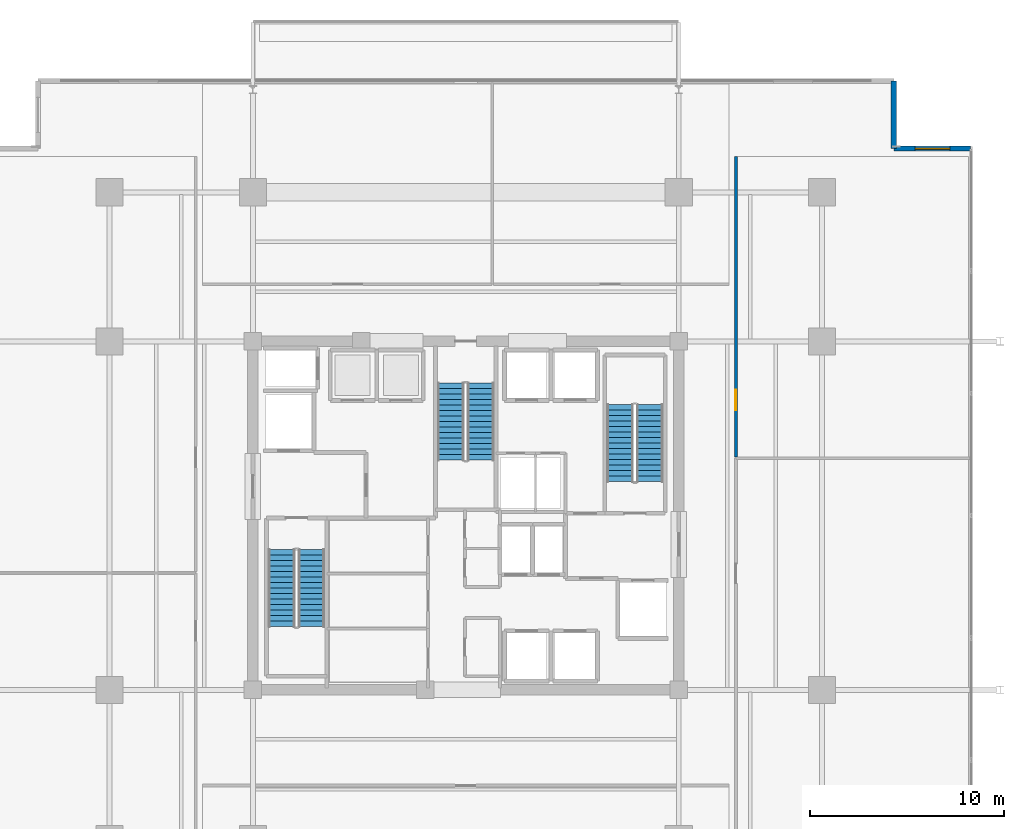
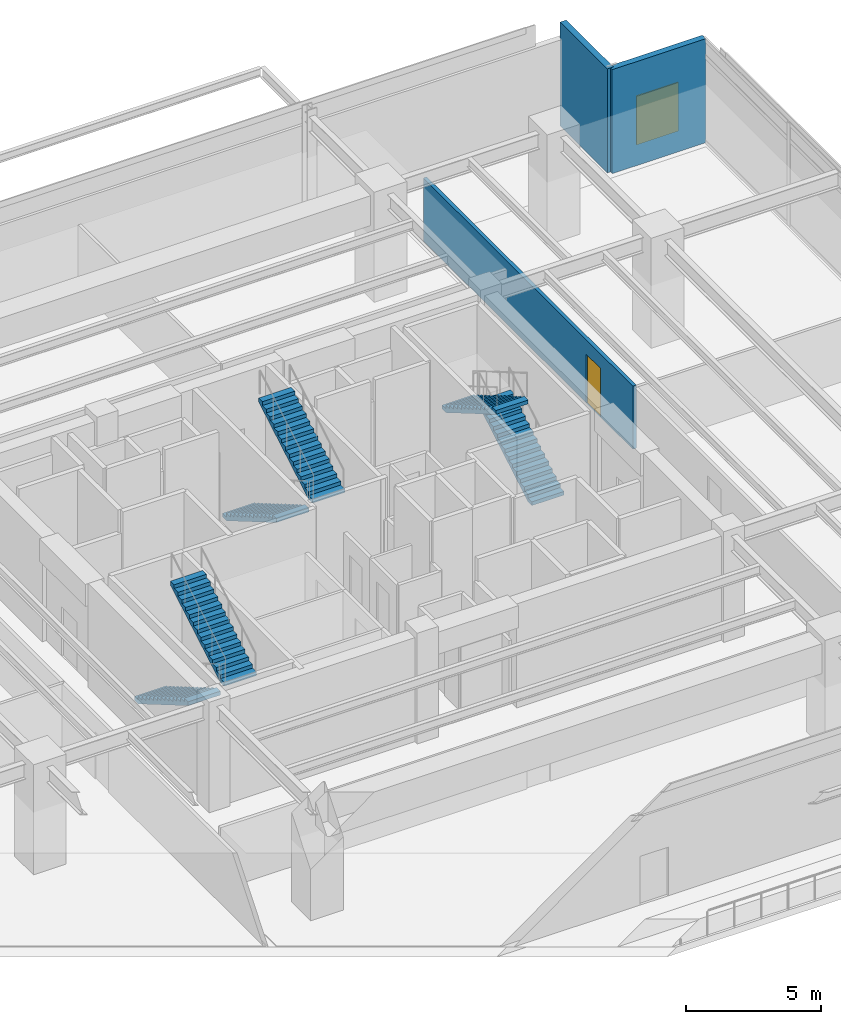
# One storey, part 19 of 25: 6 stair flights, 3 walls, 1 door, 1 window, 2 openings, 3 elements without a shape of their own.
"""IFC4 building model written with IfcOpenShell, lengths in metres."""

from ifc_helpers import new_model, si_unit, direction, frame, frame_2d, origin, place, context, subcontext, project, spatial, polyline, rectangle, outline, extrude, material, layer, layer_set, type_object, element, fill, aggregate, save


model = new_model("IFC4")

# Units and contexts
model_context = context("Model", 3, precision=1e-05, world=origin(), true_north=direction((0.0, 1.0)))
body_context = subcontext(model_context, "Body", "Model", "MODEL_VIEW")
ifc_project = project(units=[si_unit("LENGTHUNIT", "METRE"), si_unit("AREAUNIT", "SQUARE_METRE"), si_unit("VOLUMEUNIT", "CUBIC_METRE"), si_unit("PLANEANGLEUNIT", "RADIAN"), si_unit("MASSUNIT", "GRAM", prefix="KILO")], contexts=[model_context])

# Site, building, storey
site_placement = place(None, origin())
site = spatial("IfcSite", under=ifc_project, at=site_placement, CompositionType="ELEMENT")
building_placement = place(site_placement, origin())
building = spatial("IfcBuilding", under=site, at=building_placement, Name="Kovane Verandah Tower", CompositionType="ELEMENT")
storey_placement = place(building_placement, frame((0.0, 0.0, 233.199951171875)))
storey = spatial("IfcBuildingStorey", under=building, at=storey_placement, Name="L54", CompositionType="ELEMENT", Elevation=233.199951171875)

# Wall, opening, door
ifc_material_1 = material(Name="Fire-Rated Gypsum Stud Partition", Category="gypsum")
ifc_layer_1 = layer(ifc_material_1, 0.14990234375)
ifc_layer_set_1 = layer_set([ifc_layer_1], Name="Fire-Rated Gypsum Stud Partition")
wall_type_1 = type_object("IfcWallType", Name="WL-COR-150", PredefinedType="PARTITIONING", material=ifc_layer_set_1)
wall_1_placement = place(storey_placement, frame((53.949951171875, 30.537841796875, 0.0), z_axis=(0.0, 0.0, 1.0), x_axis=(0.0, 1.0, 0.0)))
wall_1 = element("IfcWall", 1, at=wall_1_placement, inside=storey, type_object=wall_type_1, Name="L54 Executive Office E2 Corridor Partition", PredefinedType="PARTITIONING", context=body_context, shape_type="SweptSolid", body=[
    extrude(rectangle(XDim=15.51171875, YDim=0.14990234375, at=frame_2d((7.755859375, 0.0))), origin(), (0.0, 0.0, 1.0), 2.85009765625),
])
opening_1_placement = place(wall_1_placement, frame((2.406005859375, 0.0, 0.0)))
opening_1 = element("IfcOpeningElement", 2, at=opening_1_placement, cuts=wall_1, Name="Opening DR-L54-012", PredefinedType="OPENING", context=body_context, shape_type="SweptSolid", body=[
    extrude(rectangle(XDim=1.050048828125, YDim=2.199951171875, at=frame_2d((0.52490234375, 1.10009765625))), frame((0.0, 0.074951171875, 0.0), z_axis=(0.0, -1.0, 0.0), x_axis=(1.0, 0.0, 0.0)), (0.0, 0.0, 1.0), 0.14990234375),
])
ifc_material_2 = material(Name="FSC Blackbutt Timber Fire-Rated Executive Door", Category="wood")
door_type = type_object("IfcDoorType", Name="DR-EXEC-1050", OperationType="SINGLE_SWING_LEFT", PredefinedType="DOOR", material=ifc_material_2)
door_placement = place(opening_1_placement, origin())
door = element("IfcDoor", 3, at=door_placement, inside=storey, type_object=door_type, Name="L54 Executive Office E2 Entrance Door", OperationType="SINGLE_SWING_RIGHT", OverallHeight=2.199951171875, OverallWidth=1.050048828125, PredefinedType="DOOR", context=body_context, shape_type="SweptSolid", body=[
    extrude(rectangle(XDim=1.050048828125, YDim=2.199951171875, at=frame_2d((0.52490234375, 1.10009765625))), frame((0.0, 0.02490234375, 0.0), z_axis=(0.0, -1.0, 0.0), x_axis=(1.0, 0.0, 0.0)), (0.0, 0.0, 1.0), 0.050048828125),
])
fill(opening_1, door)

# Wall, opening, window
ifc_material_3 = material(Name="Concrete C45/55 Insulated Spandrel Wall", Category="concrete")
ifc_layer_2 = layer(ifc_material_3, 0.260009765625)
ifc_layer_set_2 = layer_set([ifc_layer_2], Name="Concrete C45/55 Insulated Spandrel Wall")
wall_type_2 = type_object("IfcWallType", Name="WL-SPANDREL-260", PredefinedType="PARAPET", material=ifc_layer_set_2)
wall_2_placement = place(storey_placement, frame((66.107177734375, 46.44970703125, 0.0), z_axis=(0.0, 0.0, 1.0), x_axis=(-1.0, 0.0, 0.0)))
wall_2 = element("IfcWall", 4, at=wall_2_placement, inside=storey, type_object=wall_type_2, Name="L54 NE Notch Cheek Wall 1", PredefinedType="PARAPET", context=body_context, shape_type="SweptSolid", body=[
    extrude(rectangle(XDim=4.0, YDim=0.260009765625, at=frame_2d((2.0, 0.0))), origin(), (0.0, 0.0, 1.0), 4.699951171875),
])
opening_2_placement = place(wall_2_placement, frame((1.10009765625, 0.0, 0.85009765625)))
opening_2 = element("IfcOpeningElement", 5, at=opening_2_placement, cuts=wall_2, Name="Opening W-03", PredefinedType="OPENING", context=body_context, shape_type="SweptSolid", body=[
    extrude(rectangle(XDim=1.800048828125, YDim=2.199951171875, at=frame_2d((0.89990234375, 1.10009765625))), frame((0.0, 0.1298828125, 0.0), z_axis=(0.0, -1.0, 0.0), x_axis=(1.0, 0.0, 0.0)), (0.0, 0.0, 1.0), 0.260009765625),
])
ifc_material_4 = material(Name="Clear Low-E Laminated Double Glazing in Anodised Frame", Category="glass")
window_type = type_object("IfcWindowType", Name="WN-NOTCH-1800x2200", PartitioningType="SINGLE_PANEL", PredefinedType="WINDOW", material=ifc_material_4)
window_placement = place(opening_2_placement, origin())
window = element("IfcWindow", 6, at=window_placement, inside=storey, type_object=window_type, Name="L54 NE Re-Entrant Corner Operable Window", OverallHeight=2.199951171875, OverallWidth=1.800048828125, PartitioningType="SINGLE_PANEL", PredefinedType="WINDOW", context=body_context, shape_type="SweptSolid", body=[
    extrude(rectangle(XDim=1.800048828125, YDim=2.199951171875, at=frame_2d((0.89990234375, 1.10009765625))), frame((0.0, 0.030029296875, 0.0), z_axis=(0.0, -1.0, 0.0), x_axis=(1.0, 0.0, 0.0)), (0.0, 0.0, 1.0), 0.06005859375),
])
fill(opening_2, window)

# Wall
wall_3_placement = place(storey_placement, frame((62.107177734375, 46.44970703125, 0.0), z_axis=(0.0, 0.0, 1.0), x_axis=(0.0, 1.0, 0.0)))
element("IfcWall", 7, at=wall_3_placement, inside=storey, type_object=wall_type_2, Name="L54 NE Notch Cheek Wall 2", PredefinedType="PARAPET", context=body_context, shape_type="SweptSolid", body=[
    extrude(rectangle(XDim=3.5, YDim=0.260009765625, at=frame_2d((1.75, 0.0))), origin(), (0.0, 0.0, 1.0), 4.699951171875),
])

# Stair, stair flights
ifc_material_5 = material(Name="Concrete C45/55", Category="concrete")
stair_type = type_object("IfcStairType", Name="ST-CORE-1380", PredefinedType="HALF_TURN_STAIR", material=ifc_material_5)
stair_1_placement = place(storey_placement, origin())
stair_1 = element("IfcStair", 8, at=stair_1_placement, inside=storey, type_object=stair_type, Name="L54 Exit Stair ST-01", PredefinedType="HALF_TURN_STAIR")
stair_flight_type = type_object("IfcStairFlightType", Name="STF-CORE-1380", PredefinedType="STRAIGHT", material=ifc_material_5)
stair_flight_1_placement = place(storey_placement, frame((30.489990234375, 25.75, 0.0), z_axis=(0.0, 0.0, 1.0), x_axis=(0.0, -1.0, 0.0)))
stair_flight_1 = element("IfcStairFlight", 9, at=stair_flight_1_placement, type_object=stair_flight_type, Name="ST-01 flight 1", NumberOfRisers=15, NumberOfTreads=14, PredefinedType="STRAIGHT", RiserHeight=0.166666667, TreadLength=0.285, context=body_context, shape_type="SweptSolid", body=[
    extrude(outline(polyline([(0.0, 0.0), (0.0, 0.166748046875), (0.284912109375, 0.166748046875), (0.284912109375, 0.333251953125), (0.570068359375, 0.333251953125), (0.570068359375, 0.5), (0.85498046875, 0.5), (0.85498046875, 0.666748046875), (1.139892578125, 0.666748046875), (1.139892578125, 0.833251953125), (1.425048828125, 0.833251953125), (1.425048828125, 1.0), (1.7099609375, 1.0), (1.7099609375, 1.166748046875), (1.9951171875, 1.166748046875), (1.9951171875, 1.333251953125), (2.280029296875, 1.333251953125), (2.280029296875, 1.5), (2.56494140625, 1.5), (2.56494140625, 1.666748046875), (2.85009765625, 1.666748046875), (2.85009765625, 1.833251953125), (3.135009765625, 1.833251953125), (3.135009765625, 2.0), (3.419921875, 2.0), (3.419921875, 2.166748046875), (3.705078125, 2.166748046875), (3.705078125, 2.333251953125), (3.989990234375, 2.333251953125), (3.989990234375, 2.5), (3.989990234375, 2.15966796875), (0.296875, 0.0), (0.0, 0.0)])), frame((0.0, 0.68994140625, 0.0), z_axis=(0.0, -1.0, 0.0), x_axis=(1.0, 0.0, 0.0)), (0.0, 0.0, 1.0), 1.3798828125),
])
stair_flight_2_placement = place(storey_placement, frame((32.030029296875, 21.760009765625, 2.5), z_axis=(0.0, 0.0, 1.0), x_axis=(0.0, 1.0, 0.0)))
stair_flight_2 = element("IfcStairFlight", 10, at=stair_flight_2_placement, type_object=stair_flight_type, Name="ST-01 flight 2", NumberOfRisers=15, NumberOfTreads=14, PredefinedType="STRAIGHT", RiserHeight=0.166666667, TreadLength=0.285, context=body_context, shape_type="SweptSolid", body=[
    extrude(outline(polyline([(0.0, 0.0), (0.0, 0.166748046875), (0.284912109375, 0.166748046875), (0.284912109375, 0.333251953125), (0.570068359375, 0.333251953125), (0.570068359375, 0.5), (0.85498046875, 0.5), (0.85498046875, 0.666748046875), (1.139892578125, 0.666748046875), (1.139892578125, 0.833251953125), (1.425048828125, 0.833251953125), (1.425048828125, 1.0), (1.7099609375, 1.0), (1.7099609375, 1.166748046875), (1.9951171875, 1.166748046875), (1.9951171875, 1.333251953125), (2.280029296875, 1.333251953125), (2.280029296875, 1.5), (2.56494140625, 1.5), (2.56494140625, 1.666748046875), (2.85009765625, 1.666748046875), (2.85009765625, 1.833251953125), (3.135009765625, 1.833251953125), (3.135009765625, 2.0), (3.419921875, 2.0), (3.419921875, 2.166748046875), (3.705078125, 2.166748046875), (3.705078125, 2.333251953125), (3.989990234375, 2.333251953125), (3.989990234375, 2.5), (3.989990234375, 2.15966796875), (0.296875, 0.0), (0.0, 0.0)])), frame((0.0, 0.68994140625, 0.0), z_axis=(0.0, -1.0, 0.0), x_axis=(1.0, 0.0, 0.0)), (0.0, 0.0, 1.0), 1.3798828125),
])
aggregate(stair_1, [stair_flight_1, stair_flight_2])

stair_2_placement = place(storey_placement, origin())
stair_2 = element("IfcStair", 11, at=stair_2_placement, inside=storey, type_object=stair_type, Name="L54 Exit Stair ST-02", PredefinedType="HALF_TURN_STAIR")
stair_flight_3_placement = place(storey_placement, frame((49.510009765625, 29.25, 0.0), z_axis=(0.0, 0.0, 1.0), x_axis=(0.0, 1.0, 0.0)))
stair_flight_3 = element("IfcStairFlight", 12, at=stair_flight_3_placement, type_object=stair_flight_type, Name="ST-02 flight 1", NumberOfRisers=15, NumberOfTreads=14, PredefinedType="STRAIGHT", RiserHeight=0.166666667, TreadLength=0.285, context=body_context, shape_type="SweptSolid", body=[
    extrude(outline(polyline([(0.0, 0.0), (0.0, 0.166748046875), (0.284912109375, 0.166748046875), (0.284912109375, 0.333251953125), (0.570068359375, 0.333251953125), (0.570068359375, 0.5), (0.85498046875, 0.5), (0.85498046875, 0.666748046875), (1.139892578125, 0.666748046875), (1.139892578125, 0.833251953125), (1.425048828125, 0.833251953125), (1.425048828125, 1.0), (1.7099609375, 1.0), (1.7099609375, 1.166748046875), (1.9951171875, 1.166748046875), (1.9951171875, 1.333251953125), (2.280029296875, 1.333251953125), (2.280029296875, 1.5), (2.56494140625, 1.5), (2.56494140625, 1.666748046875), (2.85009765625, 1.666748046875), (2.85009765625, 1.833251953125), (3.135009765625, 1.833251953125), (3.135009765625, 2.0), (3.419921875, 2.0), (3.419921875, 2.166748046875), (3.705078125, 2.166748046875), (3.705078125, 2.333251953125), (3.989990234375, 2.333251953125), (3.989990234375, 2.5), (3.989990234375, 2.15966796875), (0.296875, 0.0), (0.0, 0.0)])), frame((0.0, 0.68994140625, 0.0), z_axis=(0.0, -1.0, 0.0), x_axis=(1.0, 0.0, 0.0)), (0.0, 0.0, 1.0), 1.3798828125),
])
stair_flight_4_placement = place(storey_placement, frame((47.969970703125, 33.239990234375, 2.5), z_axis=(0.0, 0.0, 1.0), x_axis=(0.0, -1.0, 0.0)))
stair_flight_4 = element("IfcStairFlight", 13, at=stair_flight_4_placement, type_object=stair_flight_type, Name="ST-02 flight 2", NumberOfRisers=15, NumberOfTreads=14, PredefinedType="STRAIGHT", RiserHeight=0.166666667, TreadLength=0.285, context=body_context, shape_type="SweptSolid", body=[
    extrude(outline(polyline([(0.0, 0.0), (0.0, 0.166748046875), (0.284912109375, 0.166748046875), (0.284912109375, 0.333251953125), (0.570068359375, 0.333251953125), (0.570068359375, 0.5), (0.85498046875, 0.5), (0.85498046875, 0.666748046875), (1.139892578125, 0.666748046875), (1.139892578125, 0.833251953125), (1.425048828125, 0.833251953125), (1.425048828125, 1.0), (1.7099609375, 1.0), (1.7099609375, 1.166748046875), (1.9951171875, 1.166748046875), (1.9951171875, 1.333251953125), (2.280029296875, 1.333251953125), (2.280029296875, 1.5), (2.56494140625, 1.5), (2.56494140625, 1.666748046875), (2.85009765625, 1.666748046875), (2.85009765625, 1.833251953125), (3.135009765625, 1.833251953125), (3.135009765625, 2.0), (3.419921875, 2.0), (3.419921875, 2.166748046875), (3.705078125, 2.166748046875), (3.705078125, 2.333251953125), (3.989990234375, 2.333251953125), (3.989990234375, 2.5), (3.989990234375, 2.15966796875), (0.296875, 0.0), (0.0, 0.0)])), frame((0.0, 0.68994140625, 0.0), z_axis=(0.0, -1.0, 0.0), x_axis=(1.0, 0.0, 0.0)), (0.0, 0.0, 1.0), 1.3798828125),
])
aggregate(stair_2, [stair_flight_3, stair_flight_4])

stair_3_placement = place(storey_placement, origin())
stair_3 = element("IfcStair", 14, at=stair_3_placement, inside=storey, type_object=stair_type, Name="L54 Exit Stair ST-03", PredefinedType="HALF_TURN_STAIR")
stair_flight_5_placement = place(storey_placement, frame((39.22998046875, 34.35009765625, 0.0), z_axis=(0.0, 0.0, 1.0), x_axis=(0.0, -1.0, 0.0)))
stair_flight_5 = element("IfcStairFlight", 15, at=stair_flight_5_placement, type_object=stair_flight_type, Name="ST-03 flight 1", NumberOfRisers=15, NumberOfTreads=14, PredefinedType="STRAIGHT", RiserHeight=0.166666667, TreadLength=0.285, context=body_context, shape_type="SweptSolid", body=[
    extrude(outline(polyline([(0.0, 0.0), (0.0, 0.166748046875), (0.284912109375, 0.166748046875), (0.284912109375, 0.333251953125), (0.570068359375, 0.333251953125), (0.570068359375, 0.5), (0.85498046875, 0.5), (0.85498046875, 0.666748046875), (1.139892578125, 0.666748046875), (1.139892578125, 0.833251953125), (1.425048828125, 0.833251953125), (1.425048828125, 1.0), (1.7099609375, 1.0), (1.7099609375, 1.166748046875), (1.9951171875, 1.166748046875), (1.9951171875, 1.333251953125), (2.280029296875, 1.333251953125), (2.280029296875, 1.5), (2.56494140625, 1.5), (2.56494140625, 1.666748046875), (2.85009765625, 1.666748046875), (2.85009765625, 1.833251953125), (3.135009765625, 1.833251953125), (3.135009765625, 2.0), (3.419921875, 2.0), (3.419921875, 2.166748046875), (3.705078125, 2.166748046875), (3.705078125, 2.333251953125), (3.989990234375, 2.333251953125), (3.989990234375, 2.5), (3.989990234375, 2.15966796875), (0.296875, 0.0), (0.0, 0.0)])), frame((0.0, 0.68994140625, 0.0), z_axis=(0.0, -1.0, 0.0), x_axis=(1.0, 0.0, 0.0)), (0.0, 0.0, 1.0), 1.3798828125),
])
stair_flight_6_placement = place(storey_placement, frame((40.77001953125, 30.360107421875, 2.5), z_axis=(0.0, 0.0, 1.0), x_axis=(0.0, 1.0, 0.0)))
stair_flight_6 = element("IfcStairFlight", 16, at=stair_flight_6_placement, type_object=stair_flight_type, Name="ST-03 flight 2", NumberOfRisers=15, NumberOfTreads=14, PredefinedType="STRAIGHT", RiserHeight=0.166666667, TreadLength=0.285, context=body_context, shape_type="SweptSolid", body=[
    extrude(outline(polyline([(0.0, 0.0), (0.0, 0.166748046875), (0.284912109375, 0.166748046875), (0.284912109375, 0.333251953125), (0.570068359375, 0.333251953125), (0.570068359375, 0.5), (0.85498046875, 0.5), (0.85498046875, 0.666748046875), (1.139892578125, 0.666748046875), (1.139892578125, 0.833251953125), (1.425048828125, 0.833251953125), (1.425048828125, 1.0), (1.7099609375, 1.0), (1.7099609375, 1.166748046875), (1.9951171875, 1.166748046875), (1.9951171875, 1.333251953125), (2.280029296875, 1.333251953125), (2.280029296875, 1.5), (2.56494140625, 1.5), (2.56494140625, 1.666748046875), (2.85009765625, 1.666748046875), (2.85009765625, 1.833251953125), (3.135009765625, 1.833251953125), (3.135009765625, 2.0), (3.419921875, 2.0), (3.419921875, 2.166748046875), (3.705078125, 2.166748046875), (3.705078125, 2.333251953125), (3.989990234375, 2.333251953125), (3.989990234375, 2.5), (3.989990234375, 2.15966796875), (0.296875, 0.0), (0.0, 0.0)])), frame((0.0, 0.68994140625, 0.0), z_axis=(0.0, -1.0, 0.0), x_axis=(1.0, 0.0, 0.0)), (0.0, 0.0, 1.0), 1.3798828125),
])
aggregate(stair_3, [stair_flight_5, stair_flight_6])

save(model, "model.ifc")
